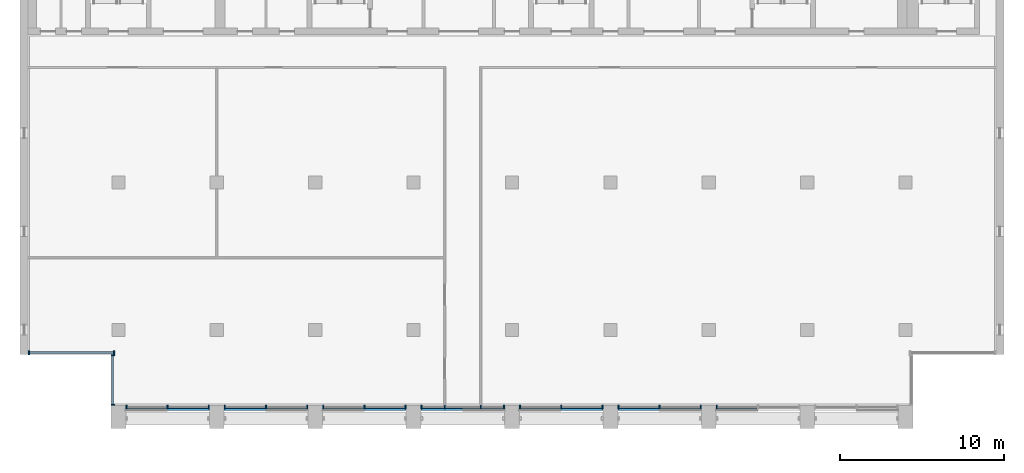
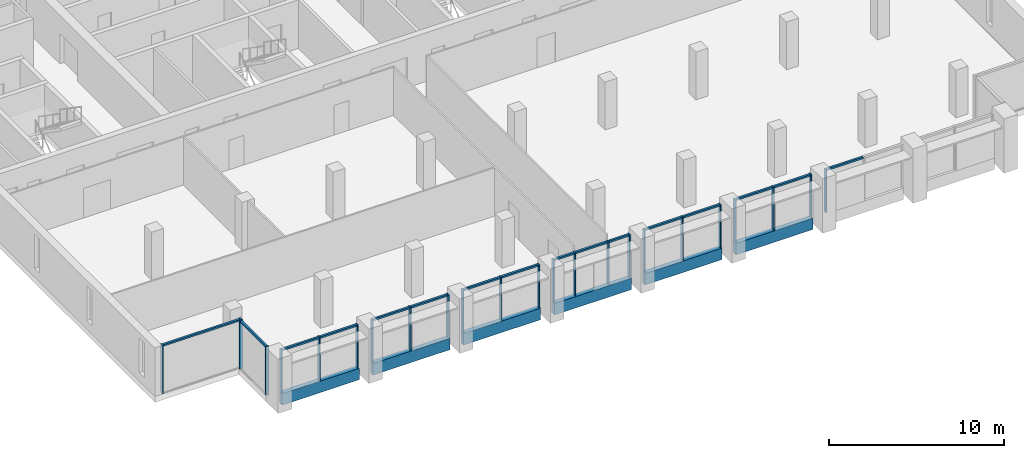
# One storey, part 2 of 14: 40 members, 6 beams, 9 elements without a shape of their own.
"""IFC4 building model written with IfcOpenShell, lengths in metres."""

from ifc_helpers import new_model, si_unit, direction, frame, origin, origin_2d, place, context, subcontext, project, spatial, rectangle, extrude, material, material_profile, profile_set, type_object, element, aggregate, save


model = new_model("IFC4")

# Units and contexts
model_context = context("Model", 3, precision=1e-05, world=origin(), true_north=direction((0.0, 1.0)))
body_context = subcontext(model_context, "Body", "Model", "MODEL_VIEW")
ifc_project = project(units=[si_unit("LENGTHUNIT", "METRE"), si_unit("AREAUNIT", "SQUARE_METRE"), si_unit("VOLUMEUNIT", "CUBIC_METRE"), si_unit("PLANEANGLEUNIT", "RADIAN"), si_unit("MASSUNIT", "GRAM", prefix="KILO")], contexts=[model_context])

# Site, building, storey
site_placement = place(None, origin())
site = spatial("IfcSite", under=ifc_project, at=site_placement, CompositionType="ELEMENT")
building_placement = place(site_placement, origin())
building = spatial("IfcBuilding", under=site, at=building_placement, Name="Calvaro Tower", CompositionType="ELEMENT")
storey_placement = place(building_placement, frame((0.0, 0.0, 254.550048828125)))
storey = spatial("IfcBuildingStorey", under=building, at=storey_placement, Name="L64", CompositionType="ELEMENT", Elevation=254.550048828125)

# Curtain wall, members
ifc_material_1 = material(Name="Anodised aluminium", Category="aluminium")
curtain_wall_type = type_object("IfcCurtainWallType", Name="Executive curtain wall", PredefinedType="NOTDEFINED", material=ifc_material_1)
curtain_wall_1_placement = place(storey_placement, origin())
curtain_wall_1 = element("IfcCurtainWall", 1, at=curtain_wall_1_placement, inside=storey, type_object=curtain_wall_type, Name="CW4 south curtain wall", PredefinedType="NOTDEFINED")
ifc_material_2 = material(Name="Anodised aluminium", Category="aluminium")
ifc_material_profile_1 = material_profile(ifc_material_2, rectangle(XDim=0.219970703125, YDim=0.080078125, at=origin_2d()), Name="Mullion S4 80 x 220")
ifc_profile_set_1 = profile_set([ifc_material_profile_1], Name="Anodised aluminium")
member_type_1 = type_object("IfcMemberType", Name="Mullion S4 80 x 220", PredefinedType="MULLION", material=ifc_profile_set_1)
member_1_placement = place(storey_placement, frame((12.489990234375, 5.2900390625, 0.0), z_axis=(0.0, 0.0, 1.0), x_axis=(0.0, 1.0, 0.0)))
member_1 = element("IfcMember", 2, at=member_1_placement, type_object=member_type_1, Name="CW4 mullion 1", PredefinedType="MULLION", context=body_context, shape_type="SweptSolid", body=[
    extrude(rectangle(XDim=0.219970703125, YDim=0.080078125, at=origin_2d()), origin(), (0.0, 0.0, 1.0), 3.0),
])
member_2_placement = place(storey_placement, frame((15.0, 5.2900390625, 0.0), z_axis=(0.0, 0.0, 1.0), x_axis=(0.0, 1.0, 0.0)))
member_2 = element("IfcMember", 3, at=member_2_placement, type_object=member_type_1, Name="CW4 mullion 2", PredefinedType="MULLION", context=body_context, shape_type="SweptSolid", body=[
    extrude(rectangle(XDim=0.219970703125, YDim=0.080078125, at=origin_2d()), origin(), (0.0, 0.0, 1.0), 3.0),
])
member_3_placement = place(storey_placement, frame((17.510009765625, 5.2900390625, 0.0), z_axis=(0.0, 0.0, 1.0), x_axis=(0.0, 1.0, 0.0)))
member_3 = element("IfcMember", 4, at=member_3_placement, type_object=member_type_1, Name="CW4 mullion 3", PredefinedType="MULLION", context=body_context, shape_type="SweptSolid", body=[
    extrude(rectangle(XDim=0.219970703125, YDim=0.080078125, at=origin_2d()), origin(), (0.0, 0.0, 1.0), 3.0),
])

curtain_wall_2_placement = place(storey_placement, origin())
curtain_wall_2 = element("IfcCurtainWall", 5, at=curtain_wall_2_placement, inside=storey, type_object=curtain_wall_type, Name="CW4 south curtain wall", PredefinedType="NOTDEFINED")
member_4_placement = place(storey_placement, frame((18.489990234375, 5.2900390625, 0.0), z_axis=(0.0, 0.0, 1.0), x_axis=(0.0, 1.0, 0.0)))
member_4 = element("IfcMember", 6, at=member_4_placement, type_object=member_type_1, Name="CW4 mullion 1", PredefinedType="MULLION", context=body_context, shape_type="SweptSolid", body=[
    extrude(rectangle(XDim=0.219970703125, YDim=0.080078125, at=origin_2d()), origin(), (0.0, 0.0, 1.0), 3.0),
])
member_5_placement = place(storey_placement, frame((21.0, 5.2900390625, 0.0), z_axis=(0.0, 0.0, 1.0), x_axis=(0.0, 1.0, 0.0)))
member_5 = element("IfcMember", 7, at=member_5_placement, type_object=member_type_1, Name="CW4 mullion 2", PredefinedType="MULLION", context=body_context, shape_type="SweptSolid", body=[
    extrude(rectangle(XDim=0.219970703125, YDim=0.080078125, at=origin_2d()), origin(), (0.0, 0.0, 1.0), 3.0),
])
member_6_placement = place(storey_placement, frame((23.510009765625, 5.2900390625, 0.0), z_axis=(0.0, 0.0, 1.0), x_axis=(0.0, 1.0, 0.0)))
member_6 = element("IfcMember", 8, at=member_6_placement, type_object=member_type_1, Name="CW4 mullion 3", PredefinedType="MULLION", context=body_context, shape_type="SweptSolid", body=[
    extrude(rectangle(XDim=0.219970703125, YDim=0.080078125, at=origin_2d()), origin(), (0.0, 0.0, 1.0), 3.0),
])

curtain_wall_3_placement = place(storey_placement, origin())
curtain_wall_3 = element("IfcCurtainWall", 9, at=curtain_wall_3_placement, inside=storey, type_object=curtain_wall_type, Name="CW4 south curtain wall", PredefinedType="NOTDEFINED")
member_7_placement = place(storey_placement, frame((24.489990234375, 5.2900390625, 0.0), z_axis=(0.0, 0.0, 1.0), x_axis=(0.0, 1.0, 0.0)))
member_7 = element("IfcMember", 10, at=member_7_placement, type_object=member_type_1, Name="CW4 mullion 1", PredefinedType="MULLION", context=body_context, shape_type="SweptSolid", body=[
    extrude(rectangle(XDim=0.219970703125, YDim=0.080078125, at=origin_2d()), origin(), (0.0, 0.0, 1.0), 3.0),
])
member_8_placement = place(storey_placement, frame((27.0, 5.2900390625, 0.0), z_axis=(0.0, 0.0, 1.0), x_axis=(0.0, 1.0, 0.0)))
member_8 = element("IfcMember", 11, at=member_8_placement, type_object=member_type_1, Name="CW4 mullion 2", PredefinedType="MULLION", context=body_context, shape_type="SweptSolid", body=[
    extrude(rectangle(XDim=0.219970703125, YDim=0.080078125, at=origin_2d()), origin(), (0.0, 0.0, 1.0), 3.0),
])
member_9_placement = place(storey_placement, frame((29.510009765625, 5.2900390625, 0.0), z_axis=(0.0, 0.0, 1.0), x_axis=(0.0, 1.0, 0.0)))
member_9 = element("IfcMember", 12, at=member_9_placement, type_object=member_type_1, Name="CW4 mullion 3", PredefinedType="MULLION", context=body_context, shape_type="SweptSolid", body=[
    extrude(rectangle(XDim=0.219970703125, YDim=0.080078125, at=origin_2d()), origin(), (0.0, 0.0, 1.0), 3.0),
])

curtain_wall_4_placement = place(storey_placement, origin())
curtain_wall_4 = element("IfcCurtainWall", 13, at=curtain_wall_4_placement, inside=storey, type_object=curtain_wall_type, Name="CW4 south curtain wall", PredefinedType="NOTDEFINED")
member_10_placement = place(storey_placement, frame((30.489990234375, 5.2900390625, 0.0), z_axis=(0.0, 0.0, 1.0), x_axis=(0.0, 1.0, 0.0)))
member_10 = element("IfcMember", 14, at=member_10_placement, type_object=member_type_1, Name="CW4 mullion 1", PredefinedType="MULLION", context=body_context, shape_type="SweptSolid", body=[
    extrude(rectangle(XDim=0.219970703125, YDim=0.080078125, at=origin_2d()), origin(), (0.0, 0.0, 1.0), 3.0),
])
member_11_placement = place(storey_placement, frame((31.89990234375, 5.2900390625, 0.0), z_axis=(0.0, 0.0, 1.0), x_axis=(0.0, 1.0, 0.0)))
member_11 = element("IfcMember", 15, at=member_11_placement, type_object=member_type_1, Name="CW4 mullion 2", PredefinedType="MULLION", context=body_context, shape_type="SweptSolid", body=[
    extrude(rectangle(XDim=0.219970703125, YDim=0.080078125, at=origin_2d()), origin(), (0.0, 0.0, 1.0), 3.0),
])
member_12_placement = place(storey_placement, frame((34.10009765625, 5.2900390625, 0.0), z_axis=(0.0, 0.0, 1.0), x_axis=(0.0, 1.0, 0.0)))
member_12 = element("IfcMember", 16, at=member_12_placement, type_object=member_type_1, Name="CW4 mullion 3", PredefinedType="MULLION", context=body_context, shape_type="SweptSolid", body=[
    extrude(rectangle(XDim=0.219970703125, YDim=0.080078125, at=origin_2d()), origin(), (0.0, 0.0, 1.0), 3.0),
])
member_13_placement = place(storey_placement, frame((35.510009765625, 5.2900390625, 0.0), z_axis=(0.0, 0.0, 1.0), x_axis=(0.0, 1.0, 0.0)))
member_13 = element("IfcMember", 17, at=member_13_placement, type_object=member_type_1, Name="CW4 mullion 4", PredefinedType="MULLION", context=body_context, shape_type="SweptSolid", body=[
    extrude(rectangle(XDim=0.219970703125, YDim=0.080078125, at=origin_2d()), origin(), (0.0, 0.0, 1.0), 3.0),
])

curtain_wall_5_placement = place(storey_placement, origin())
curtain_wall_5 = element("IfcCurtainWall", 18, at=curtain_wall_5_placement, inside=storey, type_object=curtain_wall_type, Name="CW4 south curtain wall", PredefinedType="NOTDEFINED")
member_14_placement = place(storey_placement, frame((36.489990234375, 5.2900390625, 0.0), z_axis=(0.0, 0.0, 1.0), x_axis=(0.0, 1.0, 0.0)))
member_14 = element("IfcMember", 19, at=member_14_placement, type_object=member_type_1, Name="CW4 mullion 1", PredefinedType="MULLION", context=body_context, shape_type="SweptSolid", body=[
    extrude(rectangle(XDim=0.219970703125, YDim=0.080078125, at=origin_2d()), origin(), (0.0, 0.0, 1.0), 3.0),
])
member_15_placement = place(storey_placement, frame((39.0, 5.2900390625, 0.0), z_axis=(0.0, 0.0, 1.0), x_axis=(0.0, 1.0, 0.0)))
member_15 = element("IfcMember", 20, at=member_15_placement, type_object=member_type_1, Name="CW4 mullion 2", PredefinedType="MULLION", context=body_context, shape_type="SweptSolid", body=[
    extrude(rectangle(XDim=0.219970703125, YDim=0.080078125, at=origin_2d()), origin(), (0.0, 0.0, 1.0), 3.0),
])
member_16_placement = place(storey_placement, frame((41.510009765625, 5.2900390625, 0.0), z_axis=(0.0, 0.0, 1.0), x_axis=(0.0, 1.0, 0.0)))
member_16 = element("IfcMember", 21, at=member_16_placement, type_object=member_type_1, Name="CW4 mullion 3", PredefinedType="MULLION", context=body_context, shape_type="SweptSolid", body=[
    extrude(rectangle(XDim=0.219970703125, YDim=0.080078125, at=origin_2d()), origin(), (0.0, 0.0, 1.0), 3.0),
])

curtain_wall_6_placement = place(storey_placement, origin())
curtain_wall_6 = element("IfcCurtainWall", 22, at=curtain_wall_6_placement, inside=storey, type_object=curtain_wall_type, Name="CW4 south curtain wall", PredefinedType="NOTDEFINED")
member_17_placement = place(storey_placement, frame((42.489990234375, 5.2900390625, 0.0), z_axis=(0.0, 0.0, 1.0), x_axis=(0.0, 1.0, 0.0)))
member_17 = element("IfcMember", 23, at=member_17_placement, type_object=member_type_1, Name="CW4 mullion 1", PredefinedType="MULLION", context=body_context, shape_type="SweptSolid", body=[
    extrude(rectangle(XDim=0.219970703125, YDim=0.080078125, at=origin_2d()), origin(), (0.0, 0.0, 1.0), 3.0),
])
member_18_placement = place(storey_placement, frame((45.0, 5.2900390625, 0.0), z_axis=(0.0, 0.0, 1.0), x_axis=(0.0, 1.0, 0.0)))
member_18 = element("IfcMember", 24, at=member_18_placement, type_object=member_type_1, Name="CW4 mullion 2", PredefinedType="MULLION", context=body_context, shape_type="SweptSolid", body=[
    extrude(rectangle(XDim=0.219970703125, YDim=0.080078125, at=origin_2d()), origin(), (0.0, 0.0, 1.0), 3.0),
])
member_19_placement = place(storey_placement, frame((47.510009765625, 5.2900390625, 0.0), z_axis=(0.0, 0.0, 1.0), x_axis=(0.0, 1.0, 0.0)))
member_19 = element("IfcMember", 25, at=member_19_placement, type_object=member_type_1, Name="CW4 mullion 3", PredefinedType="MULLION", context=body_context, shape_type="SweptSolid", body=[
    extrude(rectangle(XDim=0.219970703125, YDim=0.080078125, at=origin_2d()), origin(), (0.0, 0.0, 1.0), 3.0),
])

# Curtain wall, member
curtain_wall_7_placement = place(storey_placement, origin())
curtain_wall_7 = element("IfcCurtainWall", 26, at=curtain_wall_7_placement, inside=storey, type_object=curtain_wall_type, Name="CW4 south curtain wall", PredefinedType="NOTDEFINED")
member_20_placement = place(storey_placement, frame((48.489990234375, 5.2900390625, 0.0), z_axis=(0.0, 0.0, 1.0), x_axis=(0.0, 1.0, 0.0)))
member_20 = element("IfcMember", 27, at=member_20_placement, type_object=member_type_1, Name="CW4 mullion 1", PredefinedType="MULLION", context=body_context, shape_type="SweptSolid", body=[
    extrude(rectangle(XDim=0.219970703125, YDim=0.080078125, at=origin_2d()), origin(), (0.0, 0.0, 1.0), 3.0),
])

# Curtain wall, members
curtain_wall_8_placement = place(storey_placement, origin())
curtain_wall_8 = element("IfcCurtainWall", 28, at=curtain_wall_8_placement, inside=storey, type_object=curtain_wall_type, Name="CW4 corner curtain wall", PredefinedType="NOTDEFINED")
member_21_placement = place(storey_placement, frame((11.659912109375, 5.43994140625, 0.0), z_axis=(0.0, 0.0, 1.0), x_axis=(-1.0, 0.0, 0.0)))
member_21 = element("IfcMember", 29, at=member_21_placement, type_object=member_type_1, Name="CW4 mullion 1", PredefinedType="MULLION", context=body_context, shape_type="SweptSolid", body=[
    extrude(rectangle(XDim=0.219970703125, YDim=0.080078125, at=origin_2d()), origin(), (0.0, 0.0, 1.0), 3.39990234375),
])
member_22_placement = place(storey_placement, frame((11.659912109375, 8.4599609375, 0.0), z_axis=(0.0, 0.0, 1.0), x_axis=(-1.0, 0.0, 0.0)))
member_22 = element("IfcMember", 30, at=member_22_placement, type_object=member_type_1, Name="CW4 mullion 2", PredefinedType="MULLION", context=body_context, shape_type="SweptSolid", body=[
    extrude(rectangle(XDim=0.219970703125, YDim=0.080078125, at=origin_2d()), origin(), (0.0, 0.0, 1.0), 3.39990234375),
])

curtain_wall_9_placement = place(storey_placement, origin())
curtain_wall_9 = element("IfcCurtainWall", 31, at=curtain_wall_9_placement, inside=storey, type_object=curtain_wall_type, Name="CW4 corner curtain wall", PredefinedType="NOTDEFINED")
member_23_placement = place(storey_placement, frame((6.5400390625, 8.610107421875, 0.0), z_axis=(0.0, 0.0, 1.0), x_axis=(0.0, 1.0, 0.0)))
member_23 = element("IfcMember", 32, at=member_23_placement, type_object=member_type_1, Name="CW4 mullion 1", PredefinedType="MULLION", context=body_context, shape_type="SweptSolid", body=[
    extrude(rectangle(XDim=0.219970703125, YDim=0.080078125, at=origin_2d()), origin(), (0.0, 0.0, 1.0), 3.39990234375),
])
member_24_placement = place(storey_placement, frame((11.72998046875, 8.610107421875, 0.0), z_axis=(0.0, 0.0, 1.0), x_axis=(0.0, 1.0, 0.0)))
member_24 = element("IfcMember", 33, at=member_24_placement, type_object=member_type_1, Name="CW4 mullion 2", PredefinedType="MULLION", context=body_context, shape_type="SweptSolid", body=[
    extrude(rectangle(XDim=0.219970703125, YDim=0.080078125, at=origin_2d()), origin(), (0.0, 0.0, 1.0), 3.39990234375),
])

# Beams
ifc_material_3 = material(Name="Concrete C50/60 precast", Category="concrete")
ifc_material_profile_2 = material_profile(ifc_material_3, rectangle(XDim=0.300048828125, YDim=0.800048828125, at=origin_2d()), Name="RC 300x800")
ifc_profile_set_2 = profile_set([ifc_material_profile_2], Name="Concrete C50/60 precast")
beam_type = type_object("IfcBeamType", Name="Spandrel beam 300x800 C50/60", PredefinedType="SPANDREL", material=ifc_profile_set_2)
for number, where, z_axis, x_axis, name in (
    (34, (12.449951171875, 5.25, -0.400146484375), (1.0, 0.0, 0.0), (0.0, 1.0, 0.0), "Spandrel beam"),
    (35, (18.449951171875, 5.25, -0.400146484375), (1.0, 0.0, 0.0), (0.0, 1.0, 0.0), "Spandrel beam"),
    (36, (24.449951171875, 5.25, -0.400146484375), (1.0, 0.0, 0.0), (0.0, 1.0, 0.0), "Spandrel beam"),
    (37, (30.449951171875, 5.25, -0.400146484375), (1.0, 0.0, 0.0), (0.0, 1.0, 0.0), "Spandrel beam"),
    (38, (36.449951171875, 5.25, -0.400146484375), (1.0, 0.0, 0.0), (0.0, 1.0, 0.0), "Spandrel beam"),
    (39, (42.449951171875, 5.25, -0.400146484375), (1.0, 0.0, 0.0), (0.0, 1.0, 0.0), "Spandrel beam"),
):
    element("IfcBeam", number, at=place(storey_placement, frame(where, z_axis=z_axis, x_axis=x_axis)), inside=storey, type_object=beam_type, Name=name, PredefinedType="SPANDREL", context=body_context, shape_type="SweptSolid", body=[
        extrude(rectangle(XDim=0.300048828125, YDim=0.800048828125, at=origin_2d()), origin(), (0.0, 0.0, 1.0), 5.10009765625),
    ])

# Member
ifc_material_4 = material(Name="Anodised aluminium", Category="aluminium")
ifc_material_profile_3 = material_profile(ifc_material_4, rectangle(XDim=0.139892578125, YDim=0.1201171875, at=origin_2d()), Name="Transom S4 120 x 140")
ifc_profile_set_3 = profile_set([ifc_material_profile_3], Name="Anodised aluminium")
member_type_2 = type_object("IfcMemberType", Name="Transom S4 120 x 140", PredefinedType="USERDEFINED", material=ifc_profile_set_3)
member_25_placement = place(storey_placement, frame((12.530029296875, 5.2900390625, 2.93994140625), z_axis=(1.0, 0.0, 0.0), x_axis=(0.0, 1.0, 0.0)))
member_25 = element("IfcMember", 40, at=member_25_placement, type_object=member_type_2, Name="CW4 transom 1.1", ObjectType="TRANSOM", PredefinedType="USERDEFINED", context=body_context, shape_type="SweptSolid", body=[
    extrude(rectangle(XDim=0.139892578125, YDim=0.1201171875, at=origin_2d()), origin(), (0.0, 0.0, 1.0), 2.429931640625),
])

member_26_placement = place(storey_placement, frame((15.0400390625, 5.2900390625, 2.93994140625), z_axis=(1.0, 0.0, 0.0), x_axis=(0.0, 1.0, 0.0)))
member_26 = element("IfcMember", 41, at=member_26_placement, type_object=member_type_2, Name="CW4 transom 2.1", ObjectType="TRANSOM", PredefinedType="USERDEFINED", context=body_context, shape_type="SweptSolid", body=[
    extrude(rectangle(XDim=0.139892578125, YDim=0.1201171875, at=origin_2d()), origin(), (0.0, 0.0, 1.0), 2.429931640625),
])

aggregate(curtain_wall_1, [member_1, member_2, member_3, member_25, member_26])

member_27_placement = place(storey_placement, frame((18.530029296875, 5.2900390625, 2.93994140625), z_axis=(1.0, 0.0, 0.0), x_axis=(0.0, 1.0, 0.0)))
member_27 = element("IfcMember", 42, at=member_27_placement, type_object=member_type_2, Name="CW4 transom 1.1", ObjectType="TRANSOM", PredefinedType="USERDEFINED", context=body_context, shape_type="SweptSolid", body=[
    extrude(rectangle(XDim=0.139892578125, YDim=0.1201171875, at=origin_2d()), origin(), (0.0, 0.0, 1.0), 2.429931640625),
])

member_28_placement = place(storey_placement, frame((21.0400390625, 5.2900390625, 2.93994140625), z_axis=(1.0, 0.0, 0.0), x_axis=(0.0, 1.0, 0.0)))
member_28 = element("IfcMember", 43, at=member_28_placement, type_object=member_type_2, Name="CW4 transom 2.1", ObjectType="TRANSOM", PredefinedType="USERDEFINED", context=body_context, shape_type="SweptSolid", body=[
    extrude(rectangle(XDim=0.139892578125, YDim=0.1201171875, at=origin_2d()), origin(), (0.0, 0.0, 1.0), 2.429931640625),
])

aggregate(curtain_wall_2, [member_4, member_5, member_6, member_27, member_28])

member_29_placement = place(storey_placement, frame((24.530029296875, 5.2900390625, 2.93994140625), z_axis=(1.0, 0.0, 0.0), x_axis=(0.0, 1.0, 0.0)))
member_29 = element("IfcMember", 44, at=member_29_placement, type_object=member_type_2, Name="CW4 transom 1.1", ObjectType="TRANSOM", PredefinedType="USERDEFINED", context=body_context, shape_type="SweptSolid", body=[
    extrude(rectangle(XDim=0.139892578125, YDim=0.1201171875, at=origin_2d()), origin(), (0.0, 0.0, 1.0), 2.429931640625),
])

member_30_placement = place(storey_placement, frame((27.0400390625, 5.2900390625, 2.93994140625), z_axis=(1.0, 0.0, 0.0), x_axis=(0.0, 1.0, 0.0)))
member_30 = element("IfcMember", 45, at=member_30_placement, type_object=member_type_2, Name="CW4 transom 2.1", ObjectType="TRANSOM", PredefinedType="USERDEFINED", context=body_context, shape_type="SweptSolid", body=[
    extrude(rectangle(XDim=0.139892578125, YDim=0.1201171875, at=origin_2d()), origin(), (0.0, 0.0, 1.0), 2.429931640625),
])

aggregate(curtain_wall_3, [member_7, member_8, member_9, member_29, member_30])

member_31_placement = place(storey_placement, frame((30.530029296875, 5.2900390625, 2.93994140625), z_axis=(1.0, 0.0, 0.0), x_axis=(0.0, 1.0, 0.0)))
member_31 = element("IfcMember", 46, at=member_31_placement, type_object=member_type_2, Name="CW4 transom 1.1", ObjectType="TRANSOM", PredefinedType="USERDEFINED", context=body_context, shape_type="SweptSolid", body=[
    extrude(rectangle(XDim=0.139892578125, YDim=0.1201171875, at=origin_2d()), origin(), (0.0, 0.0, 1.0), 1.330078125),
])

member_32_placement = place(storey_placement, frame((31.93994140625, 5.2900390625, 2.93994140625), z_axis=(1.0, 0.0, 0.0), x_axis=(0.0, 1.0, 0.0)))
member_32 = element("IfcMember", 47, at=member_32_placement, type_object=member_type_2, Name="CW4 transom 2.1", ObjectType="TRANSOM", PredefinedType="USERDEFINED", context=body_context, shape_type="SweptSolid", body=[
    extrude(rectangle(XDim=0.139892578125, YDim=0.1201171875, at=origin_2d()), origin(), (0.0, 0.0, 1.0), 2.1201171875),
])

member_33_placement = place(storey_placement, frame((34.139892578125, 5.2900390625, 2.93994140625), z_axis=(1.0, 0.0, 0.0), x_axis=(0.0, 1.0, 0.0)))
member_33 = element("IfcMember", 48, at=member_33_placement, type_object=member_type_2, Name="CW4 transom 3.1", ObjectType="TRANSOM", PredefinedType="USERDEFINED", context=body_context, shape_type="SweptSolid", body=[
    extrude(rectangle(XDim=0.139892578125, YDim=0.1201171875, at=origin_2d()), origin(), (0.0, 0.0, 1.0), 1.330078125),
])

aggregate(curtain_wall_4, [member_10, member_11, member_12, member_13, member_31, member_32, member_33])

member_34_placement = place(storey_placement, frame((36.530029296875, 5.2900390625, 2.93994140625), z_axis=(1.0, 0.0, 0.0), x_axis=(0.0, 1.0, 0.0)))
member_34 = element("IfcMember", 49, at=member_34_placement, type_object=member_type_2, Name="CW4 transom 1.1", ObjectType="TRANSOM", PredefinedType="USERDEFINED", context=body_context, shape_type="SweptSolid", body=[
    extrude(rectangle(XDim=0.139892578125, YDim=0.1201171875, at=origin_2d()), origin(), (0.0, 0.0, 1.0), 2.429931640625),
])

member_35_placement = place(storey_placement, frame((39.0400390625, 5.2900390625, 2.93994140625), z_axis=(1.0, 0.0, 0.0), x_axis=(0.0, 1.0, 0.0)))
member_35 = element("IfcMember", 50, at=member_35_placement, type_object=member_type_2, Name="CW4 transom 2.1", ObjectType="TRANSOM", PredefinedType="USERDEFINED", context=body_context, shape_type="SweptSolid", body=[
    extrude(rectangle(XDim=0.139892578125, YDim=0.1201171875, at=origin_2d()), origin(), (0.0, 0.0, 1.0), 2.429931640625),
])

aggregate(curtain_wall_5, [member_14, member_15, member_16, member_34, member_35])

member_36_placement = place(storey_placement, frame((42.530029296875, 5.2900390625, 2.93994140625), z_axis=(1.0, 0.0, 0.0), x_axis=(0.0, 1.0, 0.0)))
member_36 = element("IfcMember", 51, at=member_36_placement, type_object=member_type_2, Name="CW4 transom 1.1", ObjectType="TRANSOM", PredefinedType="USERDEFINED", context=body_context, shape_type="SweptSolid", body=[
    extrude(rectangle(XDim=0.139892578125, YDim=0.1201171875, at=origin_2d()), origin(), (0.0, 0.0, 1.0), 2.429931640625),
])

member_37_placement = place(storey_placement, frame((45.0400390625, 5.2900390625, 2.93994140625), z_axis=(1.0, 0.0, 0.0), x_axis=(0.0, 1.0, 0.0)))
member_37 = element("IfcMember", 52, at=member_37_placement, type_object=member_type_2, Name="CW4 transom 2.1", ObjectType="TRANSOM", PredefinedType="USERDEFINED", context=body_context, shape_type="SweptSolid", body=[
    extrude(rectangle(XDim=0.139892578125, YDim=0.1201171875, at=origin_2d()), origin(), (0.0, 0.0, 1.0), 2.429931640625),
])

aggregate(curtain_wall_6, [member_17, member_18, member_19, member_36, member_37])

member_38_placement = place(storey_placement, frame((48.530029296875, 5.2900390625, 2.93994140625), z_axis=(1.0, 0.0, 0.0), x_axis=(0.0, 1.0, 0.0)))
member_38 = element("IfcMember", 53, at=member_38_placement, type_object=member_type_2, Name="CW4 transom 1.1", ObjectType="TRANSOM", PredefinedType="USERDEFINED", context=body_context, shape_type="SweptSolid", body=[
    extrude(rectangle(XDim=0.139892578125, YDim=0.1201171875, at=origin_2d()), origin(), (0.0, 0.0, 1.0), 2.429931640625),
])

aggregate(curtain_wall_7, [member_20, member_38])

member_39_placement = place(storey_placement, frame((11.659912109375, 5.47998046875, 3.33984375), z_axis=(0.0, 1.0, 0.0), x_axis=(-1.0, 0.0, 0.0)))
member_39 = element("IfcMember", 54, at=member_39_placement, type_object=member_type_2, Name="CW4 transom 1.1", ObjectType="TRANSOM", PredefinedType="USERDEFINED", context=body_context, shape_type="SweptSolid", body=[
    extrude(rectangle(XDim=0.139892578125, YDim=0.1201171875, at=origin_2d()), origin(), (0.0, 0.0, 1.0), 2.93994140625),
])

aggregate(curtain_wall_8, [member_21, member_22, member_39])

member_40_placement = place(storey_placement, frame((6.580078125, 8.610107421875, 3.33984375), z_axis=(1.0, 0.0, 0.0), x_axis=(0.0, 1.0, 0.0)))
member_40 = element("IfcMember", 55, at=member_40_placement, type_object=member_type_2, Name="CW4 transom 1.1", ObjectType="TRANSOM", PredefinedType="USERDEFINED", context=body_context, shape_type="SweptSolid", body=[
    extrude(rectangle(XDim=0.139892578125, YDim=0.1201171875, at=origin_2d()), origin(), (0.0, 0.0, 1.0), 5.10986328125),
])

aggregate(curtain_wall_9, [member_23, member_24, member_40])

save(model, "model.ifc")
